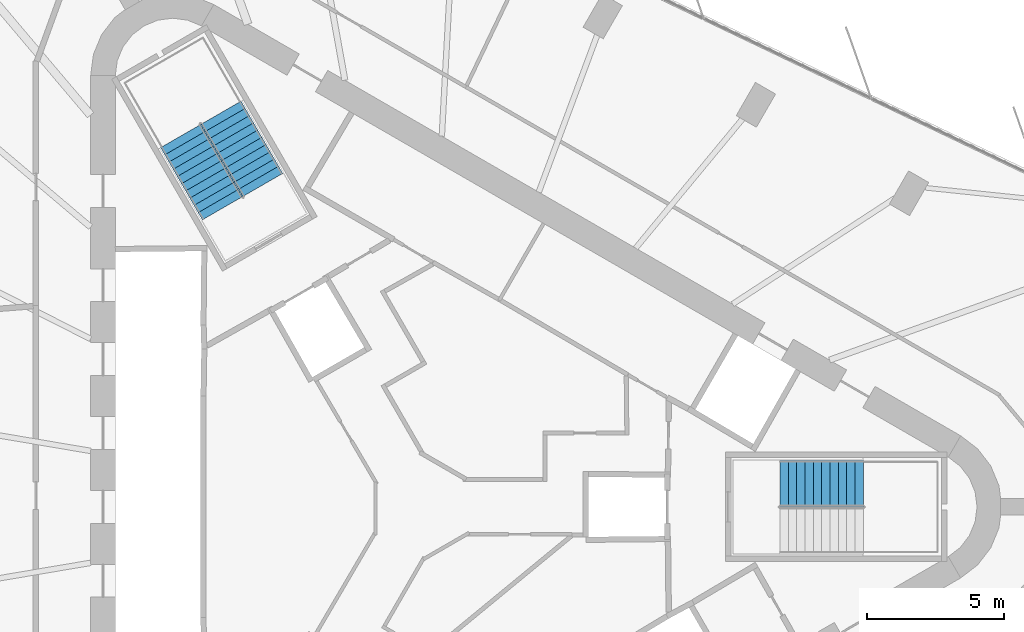
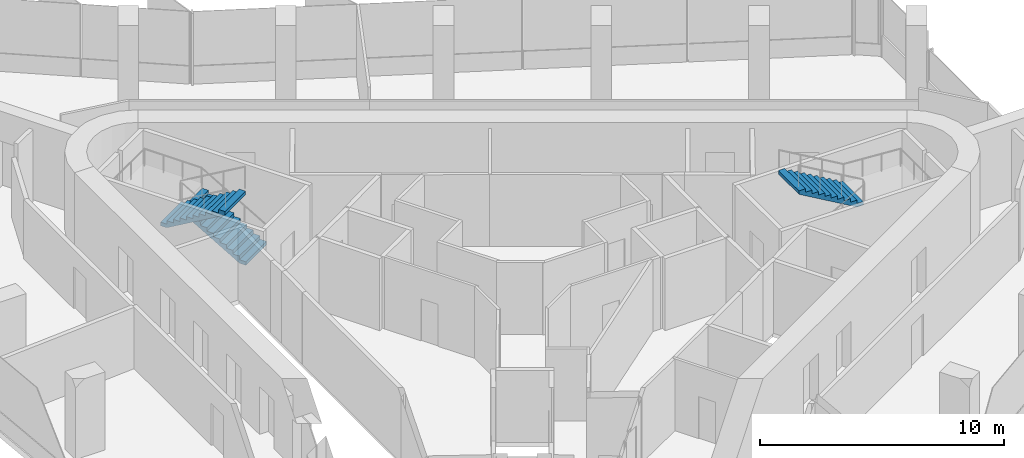
# One storey, part 11 of 12: 3 stair flights, 2 elements without a shape of their own.
"""IFC4 building model written with IfcOpenShell, lengths in metres."""

from ifc_helpers import new_model, si_unit, direction, frame, origin, place, context, subcontext, project, spatial, polyline, outline, extrude, material, type_object, element, aggregate, save


model = new_model("IFC4")

# Units and contexts
model_context = context("Model", 3, precision=1e-05, world=origin(), true_north=direction((0.0, 1.0)))
body_context = subcontext(model_context, "Body", "Model", "MODEL_VIEW")
ifc_project = project(units=[si_unit("LENGTHUNIT", "METRE"), si_unit("AREAUNIT", "SQUARE_METRE"), si_unit("VOLUMEUNIT", "CUBIC_METRE"), si_unit("PLANEANGLEUNIT", "RADIAN"), si_unit("MASSUNIT", "GRAM", prefix="KILO")], contexts=[model_context])

# Site, building, storey
site_placement = place(None, origin())
site = spatial("IfcSite", under=ifc_project, at=site_placement, CompositionType="ELEMENT")
building_placement = place(site_placement, origin())
building = spatial("IfcBuilding", under=site, at=building_placement, Name="Tanit Gate Tower", CompositionType="ELEMENT")
storey_placement = place(building_placement, frame((0.0, 0.0, 380.60009765625)))
storey = spatial("IfcBuildingStorey", under=building, at=storey_placement, Name="L87", CompositionType="ELEMENT", Elevation=380.60009765625)

# Stair, stair flight
ifc_material_1 = material(Name="Concrete C40/50", Category="concrete")
stair_type = type_object("IfcStairType", Name="INT-STAIR-EXIT", PredefinedType="HALF_TURN_STAIR", material=ifc_material_1)
stair_1_placement = place(storey_placement, origin())
stair_1 = element("IfcStair", 1, at=stair_1_placement, inside=storey, type_object=stair_type, Name="L87 STAIR S1", PredefinedType="HALF_TURN_STAIR")
ifc_material_2 = material(Name="Concrete C40/50", Category="concrete")
stair_flight_type = type_object("IfcStairFlightType", Name="INT-STAIR-FLIGHT", PredefinedType="STRAIGHT", material=ifc_material_2)
stair_flight_1_placement = place(storey_placement, frame((16.14599609375, 0.8525390625, 1.949951171875), z_axis=(0.0, 0.0, 1.0), x_axis=(-1.0, 0.0, 0.0)))
stair_flight_1 = element("IfcStairFlight", 2, at=stair_flight_1_placement, type_object=stair_flight_type, Name="S1 flight 2", NumberOfRisers=11, NumberOfTreads=10, PredefinedType="STRAIGHT", RiserHeight=0.177272727, TreadLength=0.3051, context=body_context, shape_type="SweptSolid", body=[
    extrude(outline(polyline([(0.0, 0.0), (0.0, 0.17724609375), (0.30517578125, 0.17724609375), (0.30517578125, 0.3544921875), (0.610107421875, 0.3544921875), (0.610107421875, 0.53173828125), (0.915283203125, 0.53173828125), (0.915283203125, 0.708984375), (1.220458984375, 0.708984375), (1.220458984375, 0.886474609375), (1.525390625, 0.886474609375), (1.525390625, 1.063720703125), (1.83056640625, 1.063720703125), (1.83056640625, 1.240966796875), (2.1357421875, 1.240966796875), (2.1357421875, 1.418212890625), (2.44091796875, 1.418212890625), (2.44091796875, 1.595458984375), (2.745849609375, 1.595458984375), (2.745849609375, 1.772705078125), (3.051025390625, 1.772705078125), (3.051025390625, 1.949951171875), (3.051025390625, 1.599365234375), (0.29833984375, 0.0), (0.0, 0.0)])), frame((0.0, 0.84765625, 0.0), z_axis=(0.0, -1.0, 0.0), x_axis=(1.0, 0.0, 0.0)), (0.0, 0.0, 1.0), 1.695068359375),
])
aggregate(stair_1, [stair_flight_1])

# Stair, stair flights
stair_2_placement = place(storey_placement, origin())
stair_2 = element("IfcStair", 3, at=stair_2_placement, inside=storey, type_object=stair_type, Name="L87 STAIR S2", PredefinedType="HALF_TURN_STAIR")
stair_flight_2_placement = place(storey_placement, frame((-5.808349609375, 11.766357421875, 0.0), z_axis=(0.0, 0.0, 1.0), x_axis=(-0.5, 0.866025403784, 0.0)))
stair_flight_2 = element("IfcStairFlight", 4, at=stair_flight_2_placement, type_object=stair_flight_type, Name="S2 flight 1", NumberOfRisers=11, NumberOfTreads=10, PredefinedType="STRAIGHT", RiserHeight=0.177272727, TreadLength=0.30492, context=body_context, shape_type="SweptSolid", body=[
    extrude(outline(polyline([(0.0, 0.0), (0.0, 0.17724609375), (0.304931640625, 0.17724609375), (0.304931640625, 0.3544921875), (0.60986328125, 0.3544921875), (0.60986328125, 0.53173828125), (0.914794921875, 0.53173828125), (0.914794921875, 0.708984375), (1.2197265625, 0.708984375), (1.2197265625, 0.886474609375), (1.524658203125, 0.886474609375), (1.524658203125, 1.063720703125), (1.82958984375, 1.063720703125), (1.82958984375, 1.240966796875), (2.134521484375, 1.240966796875), (2.134521484375, 1.418212890625), (2.439453125, 1.418212890625), (2.439453125, 1.595458984375), (2.744384765625, 1.595458984375), (2.744384765625, 1.772705078125), (3.04931640625, 1.772705078125), (3.04931640625, 1.949951171875), (3.04931640625, 1.599365234375), (0.29833984375, 0.0), (0.0, 0.0)])), frame((0.0, 0.84716796875, 0.0), z_axis=(0.0, -1.0, 0.0), x_axis=(1.0, 0.0, 0.0)), (0.0, 0.0, 1.0), 1.694091796875),
])
stair_flight_3_placement = place(storey_placement, frame((-8.810302734375, 13.553955078125, 1.949951171875), z_axis=(0.0, 0.0, 1.0), x_axis=(0.5, -0.866025403784, 0.0)))
stair_flight_3 = element("IfcStairFlight", 5, at=stair_flight_3_placement, type_object=stair_flight_type, Name="S2 flight 2", NumberOfRisers=11, NumberOfTreads=10, PredefinedType="STRAIGHT", RiserHeight=0.177272727, TreadLength=0.30492, context=body_context, shape_type="SweptSolid", body=[
    extrude(outline(polyline([(0.0, 0.0), (0.0, 0.17724609375), (0.304931640625, 0.17724609375), (0.304931640625, 0.3544921875), (0.60986328125, 0.3544921875), (0.60986328125, 0.53173828125), (0.914794921875, 0.53173828125), (0.914794921875, 0.708984375), (1.2197265625, 0.708984375), (1.2197265625, 0.886474609375), (1.524658203125, 0.886474609375), (1.524658203125, 1.063720703125), (1.82958984375, 1.063720703125), (1.82958984375, 1.240966796875), (2.134521484375, 1.240966796875), (2.134521484375, 1.418212890625), (2.439453125, 1.418212890625), (2.439453125, 1.595458984375), (2.744384765625, 1.595458984375), (2.744384765625, 1.772705078125), (3.04931640625, 1.772705078125), (3.04931640625, 1.949951171875), (3.04931640625, 1.599365234375), (0.29833984375, 0.0), (0.0, 0.0)])), frame((0.0, 0.84716796875, 0.0), z_axis=(0.0, -1.0, 0.0), x_axis=(1.0, 0.0, 0.0)), (0.0, 0.0, 1.0), 1.694091796875),
])
aggregate(stair_2, [stair_flight_2, stair_flight_3])

save(model, "model.ifc")
